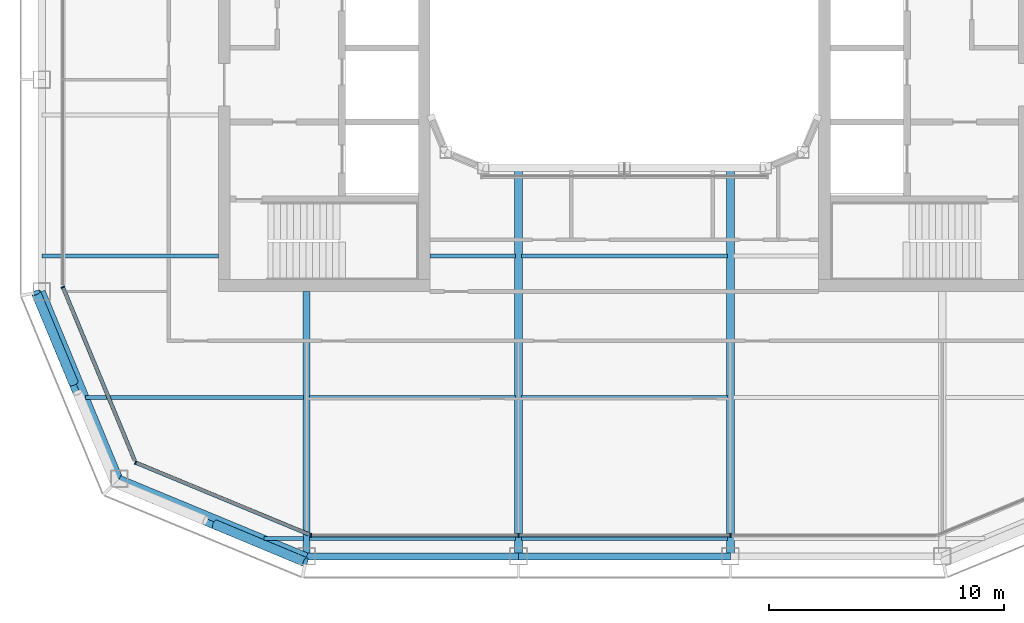
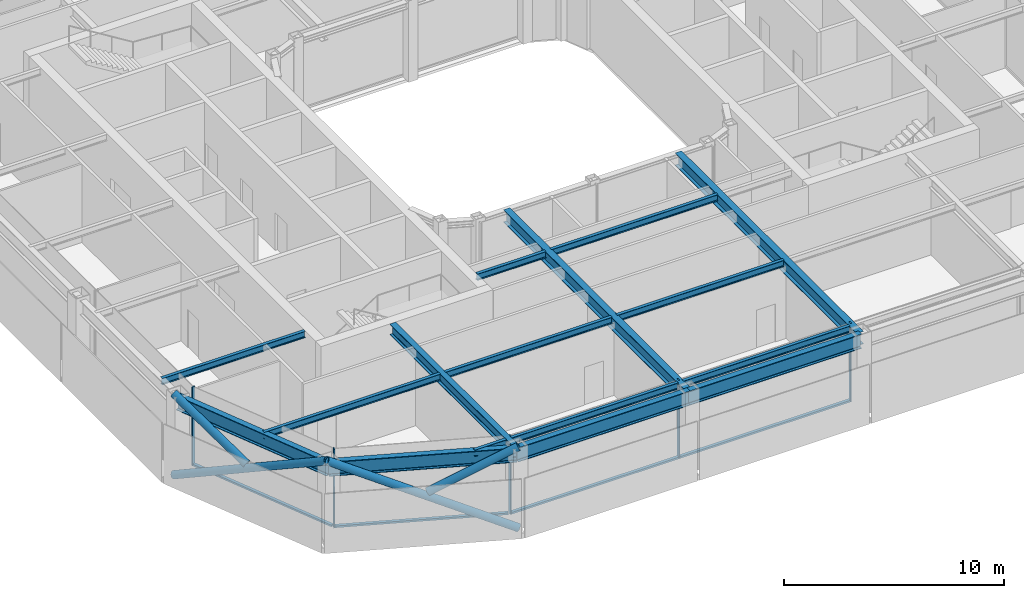
# One storey, part 2 of 20: 16 beams, 13 members, 3 elements without a shape of their own.
"""IFC4 building model written with IfcOpenShell, lengths in metres."""

import ifcopenshell
import ifcopenshell.guid

model = None  # the IFC model being written
_history = None  # IfcOwnerHistory: only IFC2X3 demands one
_inside = {}  # id of a spatial element -> (the spatial element, [elements in it])
_under = {}  # id of a project, library or spatial element -> (it, [spatial elements below it])
_declared = {}  # id of a project -> (the project, [libraries it declares])
_typed = {}  # id of a type object -> (the type object, [elements of that type])
_made_of = {}  # id of a material, layer set ... -> (it, [elements and type objects made of it])


def new_model(schema):
    """Start an empty IFC model of exactly this schema.

    Asked for "IFC4X3", IfcOpenShell would pick the latest addendum, in which some entities
    have other attributes; the version numbers below select the first issue.
    IFC2X3 requires an IfcOwnerHistory on every rooted entity: one is made here for all.
    """
    global model, _history
    if schema == "IFC4X3":
        model = ifcopenshell.file(schema_version=(4, 3, 0, 0))
    else:
        model = ifcopenshell.file(schema=schema)
    _inside.clear()
    _under.clear()
    _declared.clear()
    _typed.clear()
    _made_of.clear()
    _history = None
    if model.schema == "IFC2X3":
        org = make("IfcOrganization", Name="unknown")
        user = make(
            "IfcPersonAndOrganization",
            ThePerson=make("IfcPerson", FamilyName="unknown"),
            TheOrganization=org,
        )
        app = make(
            "IfcApplication",
            ApplicationDeveloper=org,
            Version="unknown",
            ApplicationFullName="unknown",
            ApplicationIdentifier="unknown",
        )
        _history = make(
            "IfcOwnerHistory",
            OwningUser=user,
            OwningApplication=app,
            ChangeAction="ADDED",
            CreationDate=0,
        )
    return model


def make(cls, **values):
    """One entity of the class cls with the attributes given. An attribute that is None is left unset."""
    return model.create_entity(
        cls, **{name: value for name, value in values.items() if value is not None}
    )


def rooted(cls, **values):
    """An entity with a GlobalId (a new one), such as an element, a storey or a relation."""
    return make(cls, GlobalId=ifcopenshell.guid.new(), OwnerHistory=_history, **values)


def si_unit(unit_type, name, prefix=None):
    """IfcSIUnit, for example si_unit("LENGTHUNIT", "METRE", prefix="MILLI")."""
    return make("IfcSIUnit", UnitType=unit_type, Prefix=prefix, Name=name)


def assignment(units):
    """IfcUnitAssignment: the units of a project."""
    return None if units is None else make("IfcUnitAssignment", Units=units)


def point(xyz):
    """IfcCartesianPoint."""
    return None if xyz is None else make("IfcCartesianPoint", Coordinates=xyz)


def direction(xyz):
    """IfcDirection."""
    return None if xyz is None else make("IfcDirection", DirectionRatios=xyz)


def frame(location, z_axis=None, x_axis=None):
    """IfcAxis2Placement3D, a coordinate frame: its origin and axes. An axis left out is left unset."""
    return make(
        "IfcAxis2Placement3D",
        Location=point(location),
        Axis=direction(z_axis),
        RefDirection=direction(x_axis),
    )


def frame_2d(location, x_axis=None):
    """IfcAxis2Placement2D, a coordinate frame in the plane: its origin and x axis."""
    return make(
        "IfcAxis2Placement2D", Location=point(location), RefDirection=direction(x_axis)
    )


def origin():
    """The frame at (0, 0, 0) with its axes left unset."""
    return frame((0.0, 0.0, 0.0))


def origin_2d():
    """The frame at (0, 0) in the plane with its x axis left unset."""
    return frame_2d((0.0, 0.0))


def place(relative_to, where):
    """IfcLocalPlacement: puts the frame where relative to a parent placement (None: the world)."""
    return make(
        "IfcLocalPlacement", PlacementRelTo=relative_to, RelativePlacement=where
    )


def context(
    kind, dimensions, precision=None, world=None, true_north=None, identifier=None
):
    """IfcGeometricRepresentationContext, for example the 3D "Model" context."""
    return make(
        "IfcGeometricRepresentationContext",
        ContextIdentifier=identifier,
        ContextType=kind,
        CoordinateSpaceDimension=dimensions,
        Precision=precision,
        WorldCoordinateSystem=world,
        TrueNorth=true_north,
    )


def subcontext(parent, identifier, kind, view, scale=None):
    """IfcGeometricRepresentationSubContext, for example "Body" below "Model"."""
    return make(
        "IfcGeometricRepresentationSubContext",
        ContextIdentifier=identifier,
        ContextType=kind,
        ParentContext=parent,
        TargetScale=scale,
        TargetView=view,
    )


def project(units=None, contexts=None):
    """IfcProject with its units and contexts."""
    return rooted(
        "IfcProject",
        Name="project",
        RepresentationContexts=contexts,
        UnitsInContext=assignment(units),
    )


def spatial(cls, under=None, at=None, **own):
    """A site, building, storey or space (cls), placed at a placement, below another one or the project."""
    s = rooted(cls, ObjectPlacement=at, **own)
    if under is not None:
        _under.setdefault(under.id(), (under, []))[1].append(s)
    return s


def profile(cls, at=None, kind="AREA", **sizes):
    """A parametric profile (cls). Its sizes go by their IFC names, for example OverallWidth=200.0."""
    return make(cls, ProfileType=kind, Position=at, **sizes)


def rectangle(**sizes):
    """IfcRectangleProfileDef."""
    return profile("IfcRectangleProfileDef", **sizes)


def hollow_circle(**sizes):
    """IfcCircleHollowProfileDef."""
    return profile("IfcCircleHollowProfileDef", **sizes)


def i_section(**sizes):
    """IfcIShapeProfileDef."""
    return profile("IfcIShapeProfileDef", **sizes)


def extrude(swept, where, along, depth):
    """IfcExtrudedAreaSolid: the profile swept, set in the frame where, extruded along a direction by depth."""
    return make(
        "IfcExtrudedAreaSolid",
        SweptArea=swept,
        Position=where,
        ExtrudedDirection=direction(along),
        Depth=depth,
    )


def shape(context_of_items, identifier, shape_type, items):
    """IfcShapeRepresentation: the items that make up one representation, for example the "Body"."""
    return make(
        "IfcShapeRepresentation",
        ContextOfItems=context_of_items,
        RepresentationIdentifier=identifier,
        RepresentationType=shape_type,
        Items=items,
    )


def material(Name=None, Category=None):
    """IfcMaterial."""
    return make("IfcMaterial", Name=Name, Category=Category)


def layer(
    of_material, thickness, ventilated=None, Name=None, Category=None, Priority=None
):
    """IfcMaterialLayer: one layer of a wall or slab, of a material (None: an air gap)."""
    return make(
        "IfcMaterialLayer",
        Material=of_material,
        LayerThickness=thickness,
        IsVentilated=ventilated,
        Name=Name,
        Category=Category,
        Priority=Priority,
    )


def layer_set(layers, Name=None):
    """IfcMaterialLayerSet."""
    return make("IfcMaterialLayerSet", MaterialLayers=layers, LayerSetName=Name)


def material_profile(
    of_material, cross_section, Name=None, Category=None, Priority=None
):
    """IfcMaterialProfile: a cross section and its material."""
    return make(
        "IfcMaterialProfile",
        Name=Name,
        Material=of_material,
        Profile=cross_section,
        Priority=Priority,
        Category=Category,
    )


def profile_set(profiles, Name=None, composite=None):
    """IfcMaterialProfileSet."""
    return make(
        "IfcMaterialProfileSet",
        Name=Name,
        MaterialProfiles=profiles,
        CompositeProfile=composite,
    )


def made_of(thing, what):
    """Note that an element or type object is made of a material, layer set ...; save() writes the relation."""
    if what is not None:
        _made_of.setdefault(what.id(), (what, []))[1].append(thing)
    return thing


def type_object(cls, material=None, **own):
    """A type object (cls), such as IfcWallType, which elements share."""
    return made_of(rooted(cls, **own), material)


def element(
    cls,
    number,
    at=None,
    inside=None,
    cuts=None,
    type_object=None,
    material=None,
    context=None,
    identifier="Body",
    shape_type=None,
    held_by="IfcProductDefinitionShape",
    body=None,
    shapes=None,
    **own,
):
    """One element of the class cls, such as IfcWall. Its Tag is "e" and its number.

    at: its placement. inside: the storey or other place that contains it. cuts: it is an
    opening in that element (IfcRelVoidsElement). A single representation is given by context,
    identifier, shape_type and body (its items); several are given by shapes. held_by: the class
    of the entity that holds the representations. save() writes the other relations.
    """
    e = rooted(cls, Tag="e%d" % number, ObjectPlacement=at, **own)
    if body is not None:
        shapes = [shape(context, identifier, shape_type, body)]
    if shapes is not None:
        e.Representation = make(held_by, Representations=shapes)
    if inside is not None:
        _inside.setdefault(inside.id(), (inside, []))[1].append(e)
    if cuts is not None:
        rooted(
            "IfcRelVoidsElement", RelatingBuildingElement=cuts, RelatedOpeningElement=e
        )
    if type_object is not None:
        _typed.setdefault(type_object.id(), (type_object, []))[1].append(e)
    return made_of(e, material)


def aggregate(whole, parts):
    """IfcRelAggregates: a whole, such as a stair, and the parts it consists of."""
    return rooted("IfcRelAggregates", RelatingObject=whole, RelatedObjects=parts)


def save(model, path):
    """Write the relations noted so far, then the file.

    IfcRelAggregates (storeys below a building ...), IfcRelContainedInSpatialStructure (elements
    in a storey), IfcRelDefinesByType, IfcRelAssociatesMaterial and IfcRelDeclares: one each for
    every whole, place, type object, material and project.
    """
    for whole, parts in _under.values():
        aggregate(whole, parts)
    for where, things in _inside.values():
        rooted(
            "IfcRelContainedInSpatialStructure",
            RelatedElements=things,
            RelatingStructure=where,
        )
    for kind, things in _typed.values():
        rooted("IfcRelDefinesByType", RelatedObjects=things, RelatingType=kind)
    for what, things in _made_of.values():
        rooted("IfcRelAssociatesMaterial", RelatedObjects=things, RelatingMaterial=what)
    for by, libraries in _declared.values():
        rooted("IfcRelDeclares", RelatingContext=by, RelatedDefinitions=libraries)
    model.write(path)


model = new_model("IFC4")

# Units and contexts
model_context = context("Model", 3, precision=1e-05, world=origin(), true_north=direction((0.0, 1.0)))
body_context = subcontext(model_context, "Body", "Model", "MODEL_VIEW")
ifc_project = project(units=[si_unit("LENGTHUNIT", "METRE"), si_unit("AREAUNIT", "SQUARE_METRE"), si_unit("VOLUMEUNIT", "CUBIC_METRE"), si_unit("PLANEANGLEUNIT", "RADIAN"), si_unit("MASSUNIT", "GRAM", prefix="KILO")], contexts=[model_context])

# Site, building, storey
site_placement = place(None, origin())
site = spatial("IfcSite", under=ifc_project, at=site_placement, CompositionType="ELEMENT")
building_placement = place(site_placement, origin())
building = spatial("IfcBuilding", under=site, at=building_placement, Name="Siwar Civic Tower", CompositionType="ELEMENT")
storey_placement = place(building_placement, frame((0.0, 0.0, 307.699951171875)))
storey = spatial("IfcBuildingStorey", under=building, at=storey_placement, Name="L66", CompositionType="ELEMENT", Elevation=307.699951171875)

# Curtain wall, members
ifc_material_1 = material(Name="Aluminium and glass", Category="aluminium")
ifc_layer_1 = layer(ifc_material_1, 0.159912109375)
ifc_layer_set_1 = layer_set([ifc_layer_1], Name="Aluminium and glass")
curtain_wall_type_1 = type_object("IfcCurtainWallType", Name="ENV-CW-D", PredefinedType="NOTDEFINED", material=ifc_layer_set_1)
curtain_wall_1_placement = place(storey_placement, origin())
curtain_wall_1 = element("IfcCurtainWall", 1, at=curtain_wall_1_placement, inside=storey, type_object=curtain_wall_type_1, Name="Curtain wall D S", PredefinedType="NOTDEFINED")
ifc_material_2 = material(Name="Aluminium 6063-T6", Category="aluminium")
ifc_material_profile_1 = material_profile(ifc_material_2, rectangle(XDim=0.159912109375, YDim=0.06005859375, at=origin_2d()), Name="AL 160x60")
ifc_profile_set_1 = profile_set([ifc_material_profile_1], Name="Aluminium 6063-T6")
member_type_1 = type_object("IfcMemberType", Name="ENV-MULLION-D", PredefinedType="MULLION", material=ifc_profile_set_1)
member_1_placement = place(storey_placement, frame((-13.321044921875, -23.85009765625, 0.0), z_axis=(0.0, 0.0, 1.0), x_axis=(0.0, 1.0, 0.0)))
member_1 = element("IfcMember", 2, at=member_1_placement, type_object=member_type_1, Name="Mullion D S 1", PredefinedType="MULLION", context=body_context, shape_type="SweptSolid", body=[
    extrude(rectangle(XDim=0.159912109375, YDim=0.06005859375, at=origin_2d()), origin(), (0.0, 0.0, 1.0), 4.35009765625),
])
member_2_placement = place(storey_placement, frame((-4.5, -23.85009765625, 0.0), z_axis=(0.0, 0.0, 1.0), x_axis=(0.0, 1.0, 0.0)))
member_2 = element("IfcMember", 3, at=member_2_placement, type_object=member_type_1, Name="Mullion D S 2", PredefinedType="MULLION", context=body_context, shape_type="SweptSolid", body=[
    extrude(rectangle(XDim=0.159912109375, YDim=0.06005859375, at=origin_2d()), origin(), (0.0, 0.0, 1.0), 4.35009765625),
])
member_3_placement = place(storey_placement, frame((4.5, -23.85009765625, 0.0), z_axis=(0.0, 0.0, 1.0), x_axis=(0.0, 1.0, 0.0)))
member_3 = element("IfcMember", 4, at=member_3_placement, type_object=member_type_1, Name="Mullion D S 3", PredefinedType="MULLION", context=body_context, shape_type="SweptSolid", body=[
    extrude(rectangle(XDim=0.159912109375, YDim=0.06005859375, at=origin_2d()), origin(), (0.0, 0.0, 1.0), 4.35009765625),
])

# Curtain wall, member
ifc_material_3 = material(Name="Aluminium clad insulated panel", Category="aluminium")
ifc_layer_2 = layer(ifc_material_3, 0.159912109375)
ifc_layer_set_2 = layer_set([ifc_layer_2], Name="Aluminium clad insulated panel")
curtain_wall_type_2 = type_object("IfcCurtainWallType", Name="ENV-CW-DX", PredefinedType="NOTDEFINED", material=ifc_layer_set_2)
curtain_wall_2_placement = place(storey_placement, origin())
curtain_wall_2 = element("IfcCurtainWall", 5, at=curtain_wall_2_placement, inside=storey, type_object=curtain_wall_type_2, Name="Curtain wall D SW1", PredefinedType="NOTDEFINED")
member_4_placement = place(storey_placement, frame((-23.85009765625, -13.321044921875, 0.0), z_axis=(0.0, 0.0, 1.0), x_axis=(0.923879532511, 0.382683432365, 0.0)))
member_4 = element("IfcMember", 6, at=member_4_placement, type_object=member_type_1, Name="Mullion D SW1 1", PredefinedType="MULLION", context=body_context, shape_type="SweptSolid", body=[
    extrude(rectangle(XDim=0.159912109375, YDim=0.06005859375, at=origin_2d()), origin(), (0.0, 0.0, 1.0), 4.35009765625),
])

curtain_wall_3_placement = place(storey_placement, origin())
curtain_wall_3 = element("IfcCurtainWall", 7, at=curtain_wall_3_placement, inside=storey, type_object=curtain_wall_type_2, Name="Curtain wall D SW2", PredefinedType="NOTDEFINED")
member_5_placement = place(storey_placement, frame((-20.76611328125, -20.76611328125, 0.0), z_axis=(0.0, 0.0, 1.0), x_axis=(0.382683432365, 0.923879532511, 0.0)))
member_5 = element("IfcMember", 8, at=member_5_placement, type_object=member_type_1, Name="Mullion D SW2 1", PredefinedType="MULLION", context=body_context, shape_type="SweptSolid", body=[
    extrude(rectangle(XDim=0.159912109375, YDim=0.06005859375, at=origin_2d()), origin(), (0.0, 0.0, 1.0), 4.35009765625),
])

# Member
ifc_material_4 = material(Name="Aluminium 6063-T6", Category="aluminium")
ifc_material_profile_2 = material_profile(ifc_material_4, rectangle(XDim=0.159912109375, YDim=0.10009765625, at=origin_2d()), Name="AL 160x100")
ifc_profile_set_2 = profile_set([ifc_material_profile_2], Name="Aluminium 6063-T6")
member_type_2 = type_object("IfcMemberType", Name="ENV-TRANSOM-D", PredefinedType="USERDEFINED", material=ifc_profile_set_2)
member_6_placement = place(storey_placement, frame((-13.291015625, -23.85009765625, 0.050048828125), z_axis=(1.0, 0.0, 0.0), x_axis=(0.0, 1.0, 0.0)))
member_6 = element("IfcMember", 9, at=member_6_placement, type_object=member_type_2, Name="Transom D S 1", ObjectType="TRANSOM", PredefinedType="USERDEFINED", context=body_context, shape_type="SweptSolid", body=[
    extrude(rectangle(XDim=0.159912109375, YDim=0.10009765625, at=origin_2d()), origin(), (0.0, 0.0, 1.0), 8.760986328125),
])

member_7_placement = place(storey_placement, frame((-4.469970703125, -23.85009765625, 0.050048828125), z_axis=(1.0, 0.0, 0.0), x_axis=(0.0, 1.0, 0.0)))
member_7 = element("IfcMember", 10, at=member_7_placement, type_object=member_type_2, Name="Transom D S 2", ObjectType="TRANSOM", PredefinedType="USERDEFINED", context=body_context, shape_type="SweptSolid", body=[
    extrude(rectangle(XDim=0.159912109375, YDim=0.10009765625, at=origin_2d()), origin(), (0.0, 0.0, 1.0), 8.93994140625),
])

aggregate(curtain_wall_1, [member_1, member_2, member_3, member_6, member_7])

member_8_placement = place(storey_placement, frame((-23.838623046875, -13.3486328125, 0.050048828125), z_axis=(0.382699790424, -0.923872756612, 0.0), x_axis=(0.923872756612, 0.382699790424, 0.0)))
member_8 = element("IfcMember", 11, at=member_8_placement, type_object=member_type_2, Name="Transom D SW1 1", ObjectType="TRANSOM", PredefinedType="USERDEFINED", context=body_context, shape_type="SweptSolid", body=[
    extrude(rectangle(XDim=0.159912109375, YDim=0.10009765625, at=origin_2d()), origin(), (0.0, 0.0, 1.0), 7.930908203125),
])

aggregate(curtain_wall_2, [member_4, member_8])

member_9_placement = place(storey_placement, frame((-20.738525390625, -20.777587890625, 0.050048828125), z_axis=(0.923883640343, -0.382673515031, 0.0), x_axis=(0.382673515031, 0.923883640343, 0.0)))
member_9 = element("IfcMember", 12, at=member_9_placement, type_object=member_type_2, Name="Transom D SW2 1", ObjectType="TRANSOM", PredefinedType="USERDEFINED", context=body_context, shape_type="SweptSolid", body=[
    extrude(rectangle(XDim=0.159912109375, YDim=0.10009765625, at=origin_2d()), origin(), (0.0, 0.0, 1.0), 7.930908203125),
])

aggregate(curtain_wall_3, [member_5, member_9])

# Members
ifc_material_5 = material(Name="Steel S355", Category="steel")
ifc_material_profile_3 = material_profile(ifc_material_5, hollow_circle(Radius=0.203125, WallThickness=0.01611328125, at=origin_2d()), Name="CHS406.4x16")
ifc_profile_set_3 = profile_set([ifc_material_profile_3], Name="Steel S355")
member_type_3 = type_object("IfcMemberType", Name="STR-BR-CHS406.4x16", PredefinedType="BRACE", material=ifc_profile_set_3)
member_10_placement = place(storey_placement, frame((-13.548828125, -24.9951171875, 0.0), z_axis=(-0.821142553604, 0.341671493852, 0.457149315816), x_axis=(-0.384163874976, -0.923264922524, 0.0)))
element("IfcMember", 13, at=member_10_placement, inside=storey, type_object=member_type_3, Name="L66/brc/DSW1-5-0-1", PredefinedType="BRACE", context=body_context, shape_type="SweptSolid", body=[
    extrude(hollow_circle(Radius=0.203125, WallThickness=0.01611328125, at=origin_2d()), origin(), (0.0, 0.0, 1.0), 9.843505859375),
])
member_11_placement = place(storey_placement, frame((-17.38916015625, -23.397216796875, 2.362060546875), z_axis=(0.821149689876, -0.341667178655, 0.457139722456), x_axis=(0.384156893273, 0.923267827529, 0.0)))
element("IfcMember", 14, at=member_11_placement, inside=storey, type_object=member_type_3, Name="L66/brc/DSW1-5-0-3", PredefinedType="BRACE", context=body_context, shape_type="SweptSolid", body=[
    extrude(hollow_circle(Radius=0.203125, WallThickness=0.01611328125, at=origin_2d()), origin(), (0.0, 0.0, 1.0), 4.6767578125),
])
member_12_placement = place(storey_placement, frame((-24.9951171875, -13.548828125, 0.0), z_axis=(0.341671493852, -0.821142553604, 0.457149315816), x_axis=(0.923264922524, 0.384163874976, 0.0)))
element("IfcMember", 15, at=member_12_placement, inside=storey, type_object=member_type_3, Name="L66/brc/DSW1-5-0-0", PredefinedType="BRACE", context=body_context, shape_type="SweptSolid", body=[
    extrude(hollow_circle(Radius=0.203125, WallThickness=0.01611328125, at=origin_2d()), origin(), (0.0, 0.0, 1.0), 9.843505859375),
])
member_13_placement = place(storey_placement, frame((-23.397216796875, -17.38916015625, 2.362060546875), z_axis=(-0.341667178655, 0.821149689876, 0.457139722456), x_axis=(-0.923267827529, -0.384156893273, 0.0)))
element("IfcMember", 16, at=member_13_placement, inside=storey, type_object=member_type_3, Name="L66/brc/DSW1-5-0-5", PredefinedType="BRACE", context=body_context, shape_type="SweptSolid", body=[
    extrude(hollow_circle(Radius=0.203125, WallThickness=0.01611328125, at=origin_2d()), origin(), (0.0, 0.0, 1.0), 4.6767578125),
])

# Beams
ifc_material_6 = material(Name="Steel S355", Category="steel")
ifc_material_profile_4 = material_profile(ifc_material_6, i_section(OverallWidth=0.169921875, OverallDepth=0.360107421875, WebThickness=0.008056640625, FlangeThickness=0.0126953125, FilletRadius=0.01806640625, at=origin_2d()), Name="IPE360")
ifc_profile_set_4 = profile_set([ifc_material_profile_4], Name="Steel S355")
beam_type_1 = type_object("IfcBeamType", Name="STR-FB-IPE360", PredefinedType="JOIST", material=ifc_profile_set_4)
beam_1_placement = place(storey_placement, frame((-15.310546875, -24.0, 4.170166015625), z_axis=(1.0, 0.0, 0.0), x_axis=(0.0, 1.0, 0.0)))
element("IfcBeam", 17, at=beam_1_placement, inside=storey, type_object=beam_type_1, Name="L66/bm/F001", PredefinedType="JOIST", context=body_context, shape_type="SweptSolid", body=[
    extrude(i_section(OverallWidth=0.169921875, OverallDepth=0.360107421875, WebThickness=0.008056640625, FlangeThickness=0.0126953125, FilletRadius=0.01806640625, at=origin_2d()), origin(), (0.0, 0.0, 1.0), 1.6806640625),
])
for number, where, z_axis, x_axis, name in (
    (18, (-13.3701171875, -24.0, 4.170166015625), (1.0, 0.0, 0.0), (0.0, 1.0, 0.0), "L66/bm/F002"),
    (19, (-4.3701171875, -24.0, 4.170166015625), (1.0, 0.0, 0.0), (0.0, 1.0, 0.0), "L66/bm/F003"),
):
    element("IfcBeam", number, at=place(storey_placement, frame(where, z_axis=z_axis, x_axis=x_axis)), inside=storey, type_object=beam_type_1, Name=name, PredefinedType="JOIST", context=body_context, shape_type="SweptSolid", body=[
        extrude(i_section(OverallWidth=0.169921875, OverallDepth=0.360107421875, WebThickness=0.008056640625, FlangeThickness=0.0126953125, FilletRadius=0.01806640625, at=origin_2d()), origin(), (0.0, 0.0, 1.0), 8.740234375),
    ])
beam_2_placement = place(storey_placement, frame((-22.885986328125, -18.0, 4.170166015625), z_axis=(1.0, 0.0, 0.0), x_axis=(0.0, 1.0, 0.0)))
element("IfcBeam", 20, at=beam_2_placement, inside=storey, type_object=beam_type_1, Name="L66/bm/F006", PredefinedType="JOIST", context=body_context, shape_type="SweptSolid", body=[
    extrude(i_section(OverallWidth=0.169921875, OverallDepth=0.360107421875, WebThickness=0.008056640625, FlangeThickness=0.0126953125, FilletRadius=0.01806640625, at=origin_2d()), origin(), (0.0, 0.0, 1.0), 9.256103515625),
])
for number, where, z_axis, x_axis, name in (
    (21, (-13.3701171875, -18.0, 4.170166015625), (1.0, 0.0, 0.0), (0.0, 1.0, 0.0), "L66/bm/F007"),
    (22, (-4.3701171875, -18.0, 4.170166015625), (1.0, 0.0, 0.0), (0.0, 1.0, 0.0), "L66/bm/F008"),
):
    element("IfcBeam", number, at=place(storey_placement, frame(where, z_axis=z_axis, x_axis=x_axis)), inside=storey, type_object=beam_type_1, Name=name, PredefinedType="JOIST", context=body_context, shape_type="SweptSolid", body=[
        extrude(i_section(OverallWidth=0.169921875, OverallDepth=0.360107421875, WebThickness=0.008056640625, FlangeThickness=0.0126953125, FilletRadius=0.01806640625, at=origin_2d()), origin(), (0.0, 0.0, 1.0), 8.740234375),
    ])
beam_3_placement = place(storey_placement, frame((-24.75, -12.0, 4.170166015625), z_axis=(1.0, 0.0, 0.0), x_axis=(0.0, 1.0, 0.0)))
element("IfcBeam", 23, at=beam_3_placement, inside=storey, type_object=beam_type_1, Name="L66/bm/F011", PredefinedType="JOIST", context=body_context, shape_type="SweptSolid", body=[
    extrude(i_section(OverallWidth=0.169921875, OverallDepth=0.360107421875, WebThickness=0.008056640625, FlangeThickness=0.0126953125, FilletRadius=0.01806640625, at=origin_2d()), origin(), (0.0, 0.0, 1.0), 7.5),
])
beam_4_placement = place(storey_placement, frame((-8.25, -12.0, 4.170166015625), z_axis=(1.0, 0.0, 0.0), x_axis=(0.0, 1.0, 0.0)))
element("IfcBeam", 24, at=beam_4_placement, inside=storey, type_object=beam_type_1, Name="L66/bm/F012", PredefinedType="JOIST", context=body_context, shape_type="SweptSolid", body=[
    extrude(i_section(OverallWidth=0.169921875, OverallDepth=0.360107421875, WebThickness=0.008056640625, FlangeThickness=0.0126953125, FilletRadius=0.01806640625, at=origin_2d()), origin(), (0.0, 0.0, 1.0), 3.6201171875),
])
beam_5_placement = place(storey_placement, frame((-4.3701171875, -12.0, 4.170166015625), z_axis=(1.0, 0.0, 0.0), x_axis=(0.0, 1.0, 0.0)))
element("IfcBeam", 25, at=beam_5_placement, inside=storey, type_object=beam_type_1, Name="L66/bm/F013", PredefinedType="JOIST", context=body_context, shape_type="SweptSolid", body=[
    extrude(i_section(OverallWidth=0.169921875, OverallDepth=0.360107421875, WebThickness=0.008056640625, FlangeThickness=0.0126953125, FilletRadius=0.01806640625, at=origin_2d()), origin(), (0.0, 0.0, 1.0), 8.740234375),
])
ifc_material_7 = material(Name="Steel S355", Category="steel")
ifc_material_profile_5 = material_profile(ifc_material_7, i_section(OverallWidth=0.300048828125, OverallDepth=0.60009765625, WebThickness=0.015380859375, FlangeThickness=0.030029296875, FilletRadius=0.027099609375, at=origin_2d()), Name="HEB600")
ifc_profile_set_5 = profile_set([ifc_material_profile_5], Name="Steel S355")
beam_type_2 = type_object("IfcBeamType", Name="STR-PG-HEB600", PredefinedType="BEAM", material=ifc_profile_set_5)
beam_6_placement = place(storey_placement, frame((-13.5, -24.75, 4.050048828125), z_axis=(0.0, 1.0, 0.0), x_axis=(-1.0, 0.0, 0.0)))
element("IfcBeam", 26, at=beam_6_placement, inside=storey, type_object=beam_type_2, Name="L66/bm/G01", PredefinedType="BEAM", context=body_context, shape_type="SweptSolid", body=[
    extrude(i_section(OverallWidth=0.300048828125, OverallDepth=0.60009765625, WebThickness=0.015380859375, FlangeThickness=0.030029296875, FilletRadius=0.027099609375, at=origin_2d()), origin(), (0.0, 0.0, 1.0), 11.25),
])
ifc_material_8 = material(Name="Steel S355", Category="steel")
ifc_material_profile_6 = material_profile(ifc_material_8, i_section(OverallWidth=0.340087890625, OverallDepth=0.699951171875, WebThickness=0.013916015625, FlangeThickness=0.030029296875, at=origin_2d()), Name="PG700x340x14x30")
ifc_profile_set_6 = profile_set([ifc_material_profile_6], Name="Steel S355")
beam_type_3 = type_object("IfcBeamType", Name="STR-PG-PG700x340x14x30", PredefinedType="BEAM", material=ifc_profile_set_6)
for number, where, z_axis, x_axis, name in (
    (27, (-4.5, -24.75, 4.0), (0.0, 1.0, 0.0), (-1.0, 0.0, 0.0), "L66/bm/G03"),
    (28, (4.5, -24.75, 4.0), (0.0, 1.0, 0.0), (-1.0, 0.0, 0.0), "L66/bm/G05"),
):
    element("IfcBeam", number, at=place(storey_placement, frame(where, z_axis=z_axis, x_axis=x_axis)), inside=storey, type_object=beam_type_3, Name=name, PredefinedType="BEAM", context=body_context, shape_type="SweptSolid", body=[
        extrude(i_section(OverallWidth=0.340087890625, OverallDepth=0.699951171875, WebThickness=0.013916015625, FlangeThickness=0.030029296875, at=origin_2d()), origin(), (0.0, 0.0, 1.0), 16.5),
    ])
ifc_material_9 = material(Name="Steel S355", Category="steel")
ifc_material_profile_7 = material_profile(ifc_material_9, i_section(OverallWidth=0.300048828125, OverallDepth=0.800048828125, WebThickness=0.017578125, FlangeThickness=0.032958984375, FilletRadius=0.030029296875, at=origin_2d()), Name="HEB800")
ifc_profile_set_7 = profile_set([ifc_material_profile_7], Name="Steel S355")
beam_type_4 = type_object("IfcBeamType", Name="STR-SB-HEB800", PredefinedType="BEAM", material=ifc_profile_set_7)
for number, where, z_axis, x_axis, name in (
    (29, (-13.5, -24.75, 3.949951171875), (1.0, 0.0, 0.0), (0.0, 1.0, 0.0), "L66/bm/SS-0"),
    (30, (-4.5, -24.75, 3.949951171875), (1.0, 0.0, 0.0), (0.0, 1.0, 0.0), "L66/bm/SS-1"),
):
    element("IfcBeam", number, at=place(storey_placement, frame(where, z_axis=z_axis, x_axis=x_axis)), inside=storey, type_object=beam_type_4, Name=name, PredefinedType="BEAM", context=body_context, shape_type="SweptSolid", body=[
        extrude(i_section(OverallWidth=0.300048828125, OverallDepth=0.800048828125, WebThickness=0.017578125, FlangeThickness=0.032958984375, FilletRadius=0.030029296875, at=origin_2d()), origin(), (0.0, 0.0, 1.0), 9.0),
    ])
for number, where, z_axis, x_axis, name in (
    (31, (-24.75, -13.5, 3.949951171875), (0.382699877515, -0.923872720536, 0.0), (0.923872720536, 0.382699877515, 0.0), "L66/bm/SSW1-0"),
    (32, (-21.454833984375, -21.454833984375, 3.949951171875), (0.923872720536, -0.382699877515, 0.0), (0.382699877515, 0.923872720536, 0.0), "L66/bm/SSW2-0"),
):
    element("IfcBeam", number, at=place(storey_placement, frame(where, z_axis=z_axis, x_axis=x_axis)), inside=storey, type_object=beam_type_4, Name=name, PredefinedType="BEAM", context=body_context, shape_type="SweptSolid", body=[
        extrude(i_section(OverallWidth=0.300048828125, OverallDepth=0.800048828125, WebThickness=0.017578125, FlangeThickness=0.032958984375, FilletRadius=0.030029296875, at=origin_2d()), origin(), (0.0, 0.0, 1.0), 8.6103515625),
    ])

save(model, "model.ifc")
